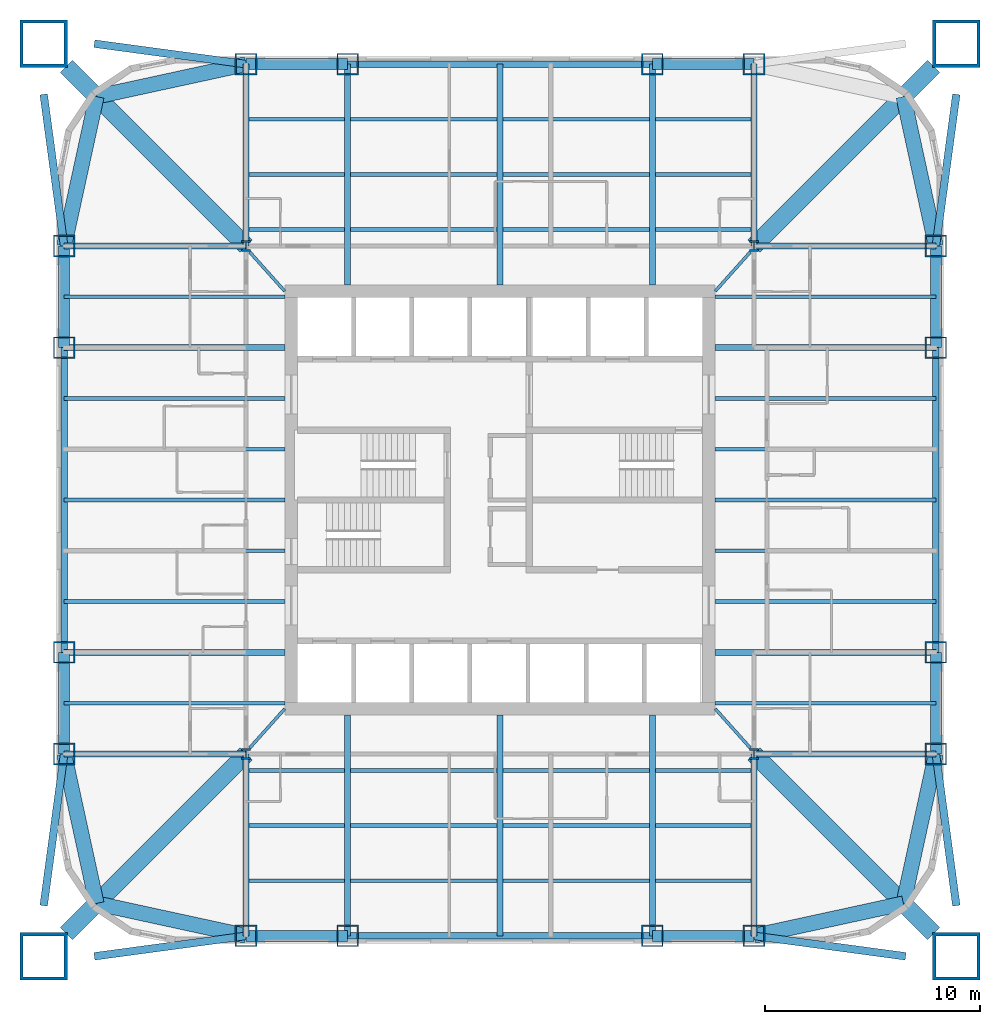
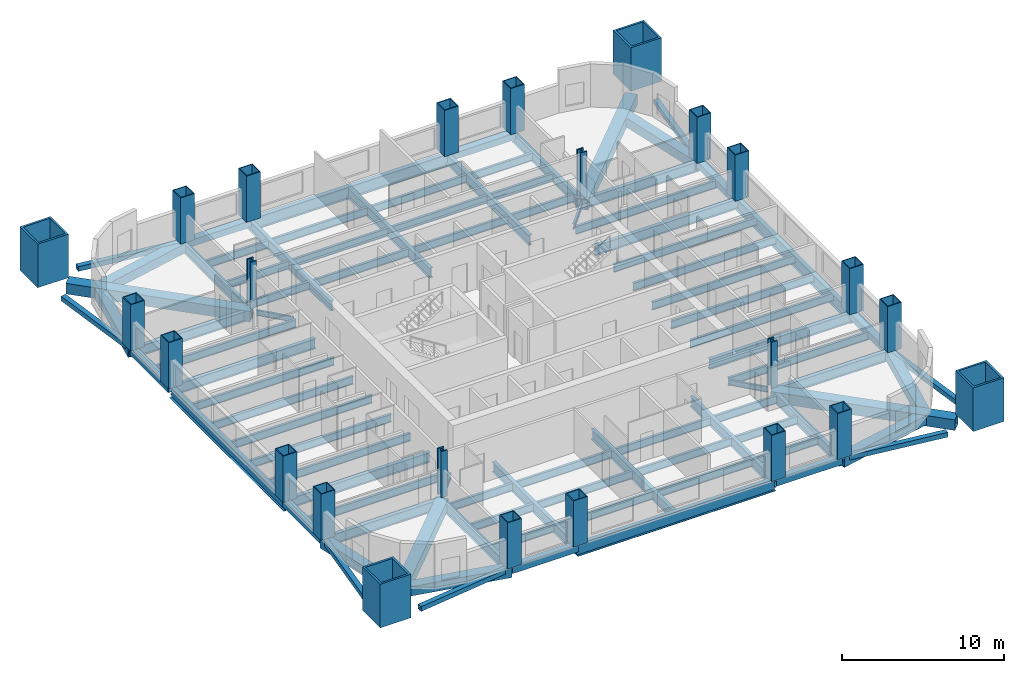
# One storey, part 1 of 8: 90 beams, 24 columns.
"""IFC4 building model written with IfcOpenShell, lengths in metres."""

from ifc_helpers import new_model, si_unit, direction, frame, origin, origin_2d, place, context, subcontext, project, spatial, hollow_rectangle, i_section, extrude, clip, halfspace, material, material_profile, profile_set, type_object, element, save


model = new_model("IFC4")

# Units and contexts
model_context = context("Model", 3, precision=1e-05, world=origin(), true_north=direction((0.0, 1.0)))
body_context = subcontext(model_context, "Body", "Model", "MODEL_VIEW")
ifc_project = project(units=[si_unit("LENGTHUNIT", "METRE"), si_unit("AREAUNIT", "SQUARE_METRE"), si_unit("VOLUMEUNIT", "CUBIC_METRE"), si_unit("PLANEANGLEUNIT", "RADIAN"), si_unit("MASSUNIT", "GRAM", prefix="KILO")], contexts=[model_context])

# Site, building, storey
site_placement = place(None, origin())
site = spatial("IfcSite", under=ifc_project, at=site_placement, CompositionType="ELEMENT")
building_placement = place(site_placement, origin())
building = spatial("IfcBuilding", under=site, at=building_placement, Name="Turquesa Mirador Hotel Tower", CompositionType="ELEMENT")
storey_placement = place(building_placement, frame((0.0, 0.0, 152.89990234375)))
storey = spatial("IfcBuildingStorey", under=building, at=storey_placement, Name="L41", CompositionType="ELEMENT", Elevation=152.89990234375)

# Columns
ifc_material_1 = material(Name="Steel ASTM A572 Grade 50", Category="steel")
ifc_material_profile_1 = material_profile(ifc_material_1, hollow_rectangle(XDim=1.0, YDim=1.0, WallThickness=0.06005859375, at=origin_2d()), Name="BOX1000X1000X60")
ifc_profile_set_1 = profile_set([ifc_material_profile_1], Name="Steel ASTM A572 Grade 50")
column_type_1 = type_object("IfcColumnType", Name="COLUMN BOX1000X1000X60", PredefinedType="COLUMN", material=ifc_profile_set_1)
for number, where, z_axis, x_axis, name in (
    (1, (34.75, 33.199951171875, 0.0), (0.0, 0.0, 1.0), (1.0, 0.0, 0.0), "COL-L41-P--20.25--11.80"),
    (2, (34.75, 37.919921875, 0.0), (0.0, 0.0, 1.0), (1.0, 0.0, 0.0), "COL-L41-P--20.25--7.08"),
    (3, (34.75, 52.080078125, 0.0), (0.0, 0.0, 1.0), (1.0, 0.0, 0.0), "COL-L41-P--20.25-+7.08"),
    (4, (34.75, 56.800048828125, 0.0), (0.0, 0.0, 1.0), (1.0, 0.0, 0.0), "COL-L41-P--20.25-+11.80"),
    (5, (43.199951171875, 24.75, 0.0), (0.0, 0.0, 1.0), (1.0, 0.0, 0.0), "COL-L41-P--11.80--20.25"),
    (6, (43.199951171875, 65.25, 0.0), (0.0, 0.0, 1.0), (1.0, 0.0, 0.0), "COL-L41-P--11.80-+20.25"),
    (7, (47.919921875, 24.75, 0.0), (0.0, 0.0, 1.0), (1.0, 0.0, 0.0), "COL-L41-P--7.08--20.25"),
    (8, (47.919921875, 65.25, 0.0), (0.0, 0.0, 1.0), (1.0, 0.0, 0.0), "COL-L41-P--7.08-+20.25"),
    (9, (62.080078125, 24.75, 0.0), (0.0, 0.0, 1.0), (1.0, 0.0, 0.0), "COL-L41-P-+7.08--20.25"),
    (10, (62.080078125, 65.25, 0.0), (0.0, 0.0, 1.0), (1.0, 0.0, 0.0), "COL-L41-P-+7.08-+20.25"),
    (11, (66.800048828125, 24.75, 0.0), (0.0, 0.0, 1.0), (1.0, 0.0, 0.0), "COL-L41-P-+11.80--20.25"),
    (12, (66.800048828125, 65.25, 0.0), (0.0, 0.0, 1.0), (1.0, 0.0, 0.0), "COL-L41-P-+11.80-+20.25"),
    (13, (75.25, 33.199951171875, 0.0), (0.0, 0.0, 1.0), (1.0, 0.0, 0.0), "COL-L41-P-+20.25--11.80"),
    (14, (75.25, 37.919921875, 0.0), (0.0, 0.0, 1.0), (1.0, 0.0, 0.0), "COL-L41-P-+20.25--7.08"),
    (15, (75.25, 52.080078125, 0.0), (0.0, 0.0, 1.0), (1.0, 0.0, 0.0), "COL-L41-P-+20.25-+7.08"),
    (16, (75.25, 56.800048828125, 0.0), (0.0, 0.0, 1.0), (1.0, 0.0, 0.0), "COL-L41-P-+20.25-+11.80"),
):
    element("IfcColumn", number, at=place(storey_placement, frame(where, z_axis=z_axis, x_axis=x_axis)), inside=storey, type_object=column_type_1, Name=name, PredefinedType="COLUMN", context=body_context, shape_type="SweptSolid", body=[
        extrude(hollow_rectangle(XDim=1.0, YDim=1.0, WallThickness=0.06005859375, at=origin_2d()), origin(), (0.0, 0.0, 1.0), 3.5),
    ])
ifc_material_2 = material(Name="Steel ASTM A992 Grade 50", Category="steel")
ifc_material_profile_2 = material_profile(ifc_material_2, i_section(OverallWidth=0.431884765625, OverallDepth=0.497802734375, WebThickness=0.0556640625, FlangeThickness=0.0888671875, at=origin_2d()), Name="W14X500")
ifc_profile_set_2 = profile_set([ifc_material_profile_2], Name="Steel ASTM A992 Grade 50")
column_type_2 = type_object("IfcColumnType", Name="COLUMN W14X500", PredefinedType="COLUMN", material=ifc_profile_set_2)
for number, where, z_axis, x_axis, name in (
    (17, (43.199951171875, 33.199951171875, 0.0), (0.0, 0.0, 1.0), (1.0, 0.0, 0.0), "COL-L41-K--11.80--11.80"),
    (18, (43.199951171875, 56.800048828125, 0.0), (0.0, 0.0, 1.0), (1.0, 0.0, 0.0), "COL-L41-K--11.80-+11.80"),
    (19, (66.800048828125, 33.199951171875, 0.0), (0.0, 0.0, 1.0), (1.0, 0.0, 0.0), "COL-L41-K-+11.80--11.80"),
    (20, (66.800048828125, 56.800048828125, 0.0), (0.0, 0.0, 1.0), (1.0, 0.0, 0.0), "COL-L41-K-+11.80-+11.80"),
):
    element("IfcColumn", number, at=place(storey_placement, frame(where, z_axis=z_axis, x_axis=x_axis)), inside=storey, type_object=column_type_2, Name=name, PredefinedType="COLUMN", context=body_context, shape_type="SweptSolid", body=[
        extrude(i_section(OverallWidth=0.431884765625, OverallDepth=0.497802734375, WebThickness=0.0556640625, FlangeThickness=0.0888671875, at=origin_2d()), origin(), (0.0, 0.0, 1.0), 3.5),
    ])
ifc_material_3 = material(Name="Steel ASTM A514 Grade Q", Category="steel")
ifc_material_profile_3 = material_profile(ifc_material_3, hollow_rectangle(XDim=2.199951171875, YDim=2.199951171875, WallThickness=0.14990234375, at=origin_2d()), Name="BOX2200X2200X150")
ifc_profile_set_3 = profile_set([ifc_material_profile_3], Name="Steel ASTM A514 Grade Q")
column_type_3 = type_object("IfcColumnType", Name="MEGA COLUMN BOX2200X2200X150", PredefinedType="COLUMN", material=ifc_profile_set_3)
for number, where, z_axis, x_axis, name in (
    (21, (76.199951171875, 66.199951171875, 0.0), (0.0, 0.0, 1.0), (1.0, 0.0, 0.0), "Mega column M1"),
    (22, (33.800048828125, 66.199951171875, 0.0), (0.0, 0.0, 1.0), (1.0, 0.0, 0.0), "Mega column M2"),
    (23, (33.800048828125, 23.800048828125, 0.0), (0.0, 0.0, 1.0), (1.0, 0.0, 0.0), "Mega column M3"),
    (24, (76.199951171875, 23.800048828125, 0.0), (0.0, 0.0, 1.0), (1.0, 0.0, 0.0), "Mega column M4"),
):
    element("IfcColumn", number, at=place(storey_placement, frame(where, z_axis=z_axis, x_axis=x_axis)), inside=storey, type_object=column_type_3, Name=name, PredefinedType="COLUMN", context=body_context, shape_type="Clipping", body=[
        clip(extrude(hollow_rectangle(XDim=2.199951171875, YDim=2.199951171875, WallThickness=0.14990234375, at=origin_2d()), origin(), (0.0, 0.0, 1.0), 3.5), halfspace(frame((0.0, 0.0, 3.29833984375), z_axis=(0.0, 0.0, 1.0), x_axis=(1.0, 0.0, 0.0)), False)),
    ])

# Beams
ifc_material_4 = material(Name="Steel ASTM A572 Grade 50", Category="steel")
ifc_material_profile_4 = material_profile(ifc_material_4, hollow_rectangle(XDim=0.5, YDim=0.5, WallThickness=0.01611328125, at=origin_2d()), Name="BOX500X500X16")
ifc_profile_set_4 = profile_set([ifc_material_profile_4], Name="Steel ASTM A572 Grade 50")
beam_type_1 = type_object("IfcBeamType", Name="BEAM BOX500X500X16", PredefinedType="BEAM", material=ifc_profile_set_4)
for number, where, z_axis, x_axis, name in (
    (25, (43.199951171875, 65.25, -0.419921875), (1.0, 0.0, 0.0), (0.0, 1.0, 0.0), "EB-L41-N-L"),
    (26, (62.080078125, 65.25, -0.419921875), (1.0, 0.0, 0.0), (0.0, 1.0, 0.0), "EB-L41-N-R"),
    (27, (43.199951171875, 24.75, -0.419921875), (1.0, 0.0, 0.0), (0.0, 1.0, 0.0), "EB-L41-S-L"),
    (28, (62.080078125, 24.75, -0.419921875), (1.0, 0.0, 0.0), (0.0, 1.0, 0.0), "EB-L41-S-R"),
    (29, (75.25, 33.199951171875, -0.419921875), (0.0, 1.0, 0.0), (-1.0, 0.0, 0.0), "EB-L41-E-L"),
    (30, (75.25, 52.080078125, -0.419921875), (0.0, 1.0, 0.0), (-1.0, 0.0, 0.0), "EB-L41-E-R"),
    (31, (34.75, 33.199951171875, -0.419921875), (0.0, 1.0, 0.0), (-1.0, 0.0, 0.0), "EB-L41-W-L"),
    (32, (34.75, 52.080078125, -0.419921875), (0.0, 1.0, 0.0), (-1.0, 0.0, 0.0), "EB-L41-W-R"),
):
    element("IfcBeam", number, at=place(storey_placement, frame(where, z_axis=z_axis, x_axis=x_axis)), inside=storey, type_object=beam_type_1, Name=name, PredefinedType="BEAM", context=body_context, shape_type="SweptSolid", body=[
        extrude(hollow_rectangle(XDim=0.5, YDim=0.5, WallThickness=0.01611328125, at=origin_2d()), origin(), (0.0, 0.0, 1.0), 4.719970703125),
    ])
ifc_material_5 = material(Name="Steel ASTM A572 Grade 50", Category="steel")
ifc_material_profile_5 = material_profile(ifc_material_5, hollow_rectangle(XDim=0.699951171875, YDim=0.699951171875, WallThickness=0.044921875, at=origin_2d()), Name="BOX700X700X45")
ifc_profile_set_5 = profile_set([ifc_material_profile_5], Name="Steel ASTM A572 Grade 50")
beam_type_2 = type_object("IfcBeamType", Name="BEAM BOX700X700X45", PredefinedType="BEAM", material=ifc_profile_set_5)
for number, where, z_axis, x_axis, name in (
    (33, (75.25, 56.800048828125, -0.52001953125), (-0.212328336885, 0.977198381781, 0.0), (-0.977198381781, -0.212328336885, 0.0), "KE-L41-1-0"),
    (34, (34.75, 56.800048828125, -0.52001953125), (0.212328336885, 0.977198381781, 0.0), (-0.977198381781, 0.212328336885, 0.0), "KE-L41-2-0"),
    (35, (36.25830078125, 63.74169921875, -0.52001953125), (0.977198381781, 0.212328336885, 0.0), (-0.212328336885, 0.977198381781, 0.0), "KE-L41-2-1"),
    (36, (34.75, 33.199951171875, -0.52001953125), (0.212328336885, -0.977198381781, 0.0), (0.977198381781, 0.212328336885, 0.0), "KE-L41-3-0"),
    (37, (36.25830078125, 26.25830078125, -0.52001953125), (0.977198381781, -0.212328336885, 0.0), (0.212328336885, 0.977198381781, 0.0), "KE-L41-3-1"),
    (38, (75.25, 33.199951171875, -0.52001953125), (-0.212328336885, -0.977198381781, 0.0), (0.977198381781, -0.212328336885, 0.0), "KE-L41-4-0"),
    (39, (73.74169921875, 26.25830078125, -0.52001953125), (-0.977198381781, -0.212328336885, 0.0), (0.212328336885, -0.977198381781, 0.0), "KE-L41-4-1"),
):
    element("IfcBeam", number, at=place(storey_placement, frame(where, z_axis=z_axis, x_axis=x_axis)), inside=storey, type_object=beam_type_2, Name=name, PredefinedType="BEAM", context=body_context, shape_type="SweptSolid", body=[
        extrude(hollow_rectangle(XDim=0.699951171875, YDim=0.699951171875, WallThickness=0.044921875, at=origin_2d()), origin(), (0.0, 0.0, 1.0), 7.103515625),
    ])
ifc_material_6 = material(Name="Steel ASTM A572 Grade 50", Category="steel")
ifc_material_profile_6 = material_profile(ifc_material_6, hollow_rectangle(XDim=0.800048828125, YDim=0.800048828125, WallThickness=0.050048828125, at=origin_2d()), Name="BOX800X800X50")
ifc_profile_set_6 = profile_set([ifc_material_profile_6], Name="Steel ASTM A572 Grade 50")
beam_type_3 = type_object("IfcBeamType", Name="BEAM BOX800X800X50", PredefinedType="BEAM", material=ifc_profile_set_6)
for number, where, z_axis, x_axis, name in (
    (40, (66.800048828125, 56.800048828125, -0.56982421875), (0.707106781187, 0.707106781187, 0.0), (-0.707106781187, 0.707106781187, 0.0), "KD-L41-1"),
    (41, (43.199951171875, 56.800048828125, -0.56982421875), (-0.707106781187, 0.707106781187, 0.0), (-0.707106781187, -0.707106781187, 0.0), "KD-L41-2"),
    (42, (43.199951171875, 33.199951171875, -0.56982421875), (-0.707106781187, -0.707106781187, 0.0), (0.707106781187, -0.707106781187, 0.0), "KD-L41-3"),
    (43, (66.800048828125, 33.199951171875, -0.56982421875), (0.707106781187, -0.707106781187, 0.0), (0.707106781187, 0.707106781187, 0.0), "KD-L41-4"),
):
    element("IfcBeam", number, at=place(storey_placement, frame(where, z_axis=z_axis, x_axis=x_axis)), inside=storey, type_object=beam_type_3, Name=name, PredefinedType="BEAM", context=body_context, shape_type="SweptSolid", body=[
        extrude(hollow_rectangle(XDim=0.800048828125, YDim=0.800048828125, WallThickness=0.050048828125, at=origin_2d()), origin(), (0.0, 0.0, 1.0), 11.80859375),
    ])
ifc_material_7 = material(Name="Steel ASTM A992 Grade 50", Category="steel")
ifc_material_profile_7 = material_profile(ifc_material_7, i_section(OverallWidth=0.140380859375, OverallDepth=0.40380859375, WebThickness=0.007080078125, FlangeThickness=0.01123046875, at=origin_2d()), Name="W16X31")
ifc_profile_set_7 = profile_set([ifc_material_profile_7], Name="Steel ASTM A992 Grade 50")
beam_type_4 = type_object("IfcBeamType", Name="BEAM W16X31", PredefinedType="BEAM", material=ifc_profile_set_7)
for number, where, z_axis, x_axis, name in (
    (44, (66.626953125, 56.518310546875, -0.371826171875), (-0.66679485947, -0.745241313525, 0.0), (0.745241313525, -0.66679485947, 0.0), "KT-L41-1"),
    (45, (43.373046875, 56.518310546875, -0.371826171875), (0.66679485947, -0.745241313525, 0.0), (0.745241313525, 0.66679485947, 0.0), "KT-L41-2"),
    (46, (43.373046875, 33.481689453125, -0.371826171875), (0.66679485947, 0.745241313525, 0.0), (-0.745241313525, 0.66679485947, 0.0), "KT-L41-3"),
    (47, (66.626953125, 33.481689453125, -0.371826171875), (-0.66679485947, 0.745241313525, 0.0), (-0.745241313525, -0.66679485947, 0.0), "KT-L41-4"),
):
    element("IfcBeam", number, at=place(storey_placement, frame(where, z_axis=z_axis, x_axis=x_axis)), inside=storey, type_object=beam_type_4, Name=name, PredefinedType="BEAM", context=body_context, shape_type="SweptSolid", body=[
        extrude(i_section(OverallWidth=0.140380859375, OverallDepth=0.40380859375, WebThickness=0.007080078125, FlangeThickness=0.01123046875, at=origin_2d()), origin(), (0.0, 0.0, 1.0), 2.43994140625),
    ])
ifc_material_8 = material(Name="Steel ASTM A992 Grade 50", Category="steel")
ifc_material_profile_8 = material_profile(ifc_material_8, i_section(OverallWidth=0.177978515625, OverallDepth=0.599365234375, WebThickness=0.010009765625, FlangeThickness=0.012939453125, at=origin_2d()), Name="W24X55")
ifc_profile_set_8 = profile_set([ifc_material_profile_8], Name="Steel ASTM A992 Grade 50")
beam_type_5 = type_object("IfcBeamType", Name="BEAM W24X55", PredefinedType="BEAM", material=ifc_profile_set_8)
beam_1_placement = place(storey_placement, frame((43.333251953125, 57.56201171875, -0.4697265625), z_axis=(1.0, 0.0, 0.0), x_axis=(0.0, 1.0, 0.0)))
element("IfcBeam", 48, at=beam_1_placement, inside=storey, type_object=beam_type_5, Name="IB-L41-N-1-0", PredefinedType="BEAM", context=body_context, shape_type="SweptSolid", body=[
    extrude(i_section(OverallWidth=0.177978515625, OverallDepth=0.599365234375, WebThickness=0.010009765625, FlangeThickness=0.012939453125, at=origin_2d()), origin(), (0.0, 0.0, 1.0), 4.453369140625),
])
for number, where, z_axis, x_axis, name in (
    (49, (48.053466796875, 57.56201171875, -0.4697265625), (1.0, 0.0, 0.0), (0.0, 1.0, 0.0), "IB-L41-N-1-1"),
    (50, (55.13330078125, 57.56201171875, -0.4697265625), (1.0, 0.0, 0.0), (0.0, 1.0, 0.0), "IB-L41-N-1-2"),
):
    element("IfcBeam", number, at=place(storey_placement, frame(where, z_axis=z_axis, x_axis=x_axis)), inside=storey, type_object=beam_type_5, Name=name, PredefinedType="BEAM", context=body_context, shape_type="SweptSolid", body=[
        extrude(i_section(OverallWidth=0.177978515625, OverallDepth=0.599365234375, WebThickness=0.010009765625, FlangeThickness=0.012939453125, at=origin_2d()), origin(), (0.0, 0.0, 1.0), 6.813232421875),
    ])
for number, where, z_axis, x_axis, name in (
    (51, (62.21337890625, 57.56201171875, -0.4697265625), (1.0, 0.0, 0.0), (0.0, 1.0, 0.0), "IB-L41-N-1-3"),
    (52, (43.333251953125, 60.125, -0.4697265625), (1.0, 0.0, 0.0), (0.0, 1.0, 0.0), "IB-L41-N-2-0"),
):
    element("IfcBeam", number, at=place(storey_placement, frame(where, z_axis=z_axis, x_axis=x_axis)), inside=storey, type_object=beam_type_5, Name=name, PredefinedType="BEAM", context=body_context, shape_type="SweptSolid", body=[
        extrude(i_section(OverallWidth=0.177978515625, OverallDepth=0.599365234375, WebThickness=0.010009765625, FlangeThickness=0.012939453125, at=origin_2d()), origin(), (0.0, 0.0, 1.0), 4.453369140625),
    ])
for number, where, z_axis, x_axis, name in (
    (53, (48.053466796875, 60.125, -0.4697265625), (1.0, 0.0, 0.0), (0.0, 1.0, 0.0), "IB-L41-N-2-1"),
    (54, (55.13330078125, 60.125, -0.4697265625), (1.0, 0.0, 0.0), (0.0, 1.0, 0.0), "IB-L41-N-2-2"),
):
    element("IfcBeam", number, at=place(storey_placement, frame(where, z_axis=z_axis, x_axis=x_axis)), inside=storey, type_object=beam_type_5, Name=name, PredefinedType="BEAM", context=body_context, shape_type="SweptSolid", body=[
        extrude(i_section(OverallWidth=0.177978515625, OverallDepth=0.599365234375, WebThickness=0.010009765625, FlangeThickness=0.012939453125, at=origin_2d()), origin(), (0.0, 0.0, 1.0), 6.813232421875),
    ])
for number, where, z_axis, x_axis, name in (
    (55, (62.21337890625, 60.125, -0.4697265625), (1.0, 0.0, 0.0), (0.0, 1.0, 0.0), "IB-L41-N-2-3"),
    (56, (43.333251953125, 62.68798828125, -0.4697265625), (1.0, 0.0, 0.0), (0.0, 1.0, 0.0), "IB-L41-N-3-0"),
):
    element("IfcBeam", number, at=place(storey_placement, frame(where, z_axis=z_axis, x_axis=x_axis)), inside=storey, type_object=beam_type_5, Name=name, PredefinedType="BEAM", context=body_context, shape_type="SweptSolid", body=[
        extrude(i_section(OverallWidth=0.177978515625, OverallDepth=0.599365234375, WebThickness=0.010009765625, FlangeThickness=0.012939453125, at=origin_2d()), origin(), (0.0, 0.0, 1.0), 4.453369140625),
    ])
for number, where, z_axis, x_axis, name in (
    (57, (48.053466796875, 62.68798828125, -0.4697265625), (1.0, 0.0, 0.0), (0.0, 1.0, 0.0), "IB-L41-N-3-1"),
    (58, (55.13330078125, 62.68798828125, -0.4697265625), (1.0, 0.0, 0.0), (0.0, 1.0, 0.0), "IB-L41-N-3-2"),
):
    element("IfcBeam", number, at=place(storey_placement, frame(where, z_axis=z_axis, x_axis=x_axis)), inside=storey, type_object=beam_type_5, Name=name, PredefinedType="BEAM", context=body_context, shape_type="SweptSolid", body=[
        extrude(i_section(OverallWidth=0.177978515625, OverallDepth=0.599365234375, WebThickness=0.010009765625, FlangeThickness=0.012939453125, at=origin_2d()), origin(), (0.0, 0.0, 1.0), 6.813232421875),
    ])
for number, where, z_axis, x_axis, name in (
    (59, (62.21337890625, 62.68798828125, -0.4697265625), (1.0, 0.0, 0.0), (0.0, 1.0, 0.0), "IB-L41-N-3-3"),
    (60, (43.333251953125, 32.43798828125, -0.4697265625), (1.0, 0.0, 0.0), (0.0, 1.0, 0.0), "IB-L41-S-1-0"),
):
    element("IfcBeam", number, at=place(storey_placement, frame(where, z_axis=z_axis, x_axis=x_axis)), inside=storey, type_object=beam_type_5, Name=name, PredefinedType="BEAM", context=body_context, shape_type="SweptSolid", body=[
        extrude(i_section(OverallWidth=0.177978515625, OverallDepth=0.599365234375, WebThickness=0.010009765625, FlangeThickness=0.012939453125, at=origin_2d()), origin(), (0.0, 0.0, 1.0), 4.453369140625),
    ])
for number, where, z_axis, x_axis, name in (
    (61, (48.053466796875, 32.43798828125, -0.4697265625), (1.0, 0.0, 0.0), (0.0, 1.0, 0.0), "IB-L41-S-1-1"),
    (62, (55.13330078125, 32.43798828125, -0.4697265625), (1.0, 0.0, 0.0), (0.0, 1.0, 0.0), "IB-L41-S-1-2"),
):
    element("IfcBeam", number, at=place(storey_placement, frame(where, z_axis=z_axis, x_axis=x_axis)), inside=storey, type_object=beam_type_5, Name=name, PredefinedType="BEAM", context=body_context, shape_type="SweptSolid", body=[
        extrude(i_section(OverallWidth=0.177978515625, OverallDepth=0.599365234375, WebThickness=0.010009765625, FlangeThickness=0.012939453125, at=origin_2d()), origin(), (0.0, 0.0, 1.0), 6.813232421875),
    ])
for number, where, z_axis, x_axis, name in (
    (63, (62.21337890625, 32.43798828125, -0.4697265625), (1.0, 0.0, 0.0), (0.0, 1.0, 0.0), "IB-L41-S-1-3"),
    (64, (43.333251953125, 29.875, -0.4697265625), (1.0, 0.0, 0.0), (0.0, 1.0, 0.0), "IB-L41-S-2-0"),
):
    element("IfcBeam", number, at=place(storey_placement, frame(where, z_axis=z_axis, x_axis=x_axis)), inside=storey, type_object=beam_type_5, Name=name, PredefinedType="BEAM", context=body_context, shape_type="SweptSolid", body=[
        extrude(i_section(OverallWidth=0.177978515625, OverallDepth=0.599365234375, WebThickness=0.010009765625, FlangeThickness=0.012939453125, at=origin_2d()), origin(), (0.0, 0.0, 1.0), 4.453369140625),
    ])
for number, where, z_axis, x_axis, name in (
    (65, (48.053466796875, 29.875, -0.4697265625), (1.0, 0.0, 0.0), (0.0, 1.0, 0.0), "IB-L41-S-2-1"),
    (66, (55.13330078125, 29.875, -0.4697265625), (1.0, 0.0, 0.0), (0.0, 1.0, 0.0), "IB-L41-S-2-2"),
):
    element("IfcBeam", number, at=place(storey_placement, frame(where, z_axis=z_axis, x_axis=x_axis)), inside=storey, type_object=beam_type_5, Name=name, PredefinedType="BEAM", context=body_context, shape_type="SweptSolid", body=[
        extrude(i_section(OverallWidth=0.177978515625, OverallDepth=0.599365234375, WebThickness=0.010009765625, FlangeThickness=0.012939453125, at=origin_2d()), origin(), (0.0, 0.0, 1.0), 6.813232421875),
    ])
for number, where, z_axis, x_axis, name in (
    (67, (62.21337890625, 29.875, -0.4697265625), (1.0, 0.0, 0.0), (0.0, 1.0, 0.0), "IB-L41-S-2-3"),
    (68, (43.333251953125, 27.31201171875, -0.4697265625), (1.0, 0.0, 0.0), (0.0, 1.0, 0.0), "IB-L41-S-3-0"),
):
    element("IfcBeam", number, at=place(storey_placement, frame(where, z_axis=z_axis, x_axis=x_axis)), inside=storey, type_object=beam_type_5, Name=name, PredefinedType="BEAM", context=body_context, shape_type="SweptSolid", body=[
        extrude(i_section(OverallWidth=0.177978515625, OverallDepth=0.599365234375, WebThickness=0.010009765625, FlangeThickness=0.012939453125, at=origin_2d()), origin(), (0.0, 0.0, 1.0), 4.453369140625),
    ])
for number, where, z_axis, x_axis, name in (
    (69, (48.053466796875, 27.31201171875, -0.4697265625), (1.0, 0.0, 0.0), (0.0, 1.0, 0.0), "IB-L41-S-3-1"),
    (70, (55.13330078125, 27.31201171875, -0.4697265625), (1.0, 0.0, 0.0), (0.0, 1.0, 0.0), "IB-L41-S-3-2"),
):
    element("IfcBeam", number, at=place(storey_placement, frame(where, z_axis=z_axis, x_axis=x_axis)), inside=storey, type_object=beam_type_5, Name=name, PredefinedType="BEAM", context=body_context, shape_type="SweptSolid", body=[
        extrude(i_section(OverallWidth=0.177978515625, OverallDepth=0.599365234375, WebThickness=0.010009765625, FlangeThickness=0.012939453125, at=origin_2d()), origin(), (0.0, 0.0, 1.0), 6.813232421875),
    ])
beam_2_placement = place(storey_placement, frame((62.21337890625, 27.31201171875, -0.4697265625), z_axis=(1.0, 0.0, 0.0), x_axis=(0.0, 1.0, 0.0)))
element("IfcBeam", 71, at=beam_2_placement, inside=storey, type_object=beam_type_5, Name="IB-L41-S-3-3", PredefinedType="BEAM", context=body_context, shape_type="SweptSolid", body=[
    extrude(i_section(OverallWidth=0.177978515625, OverallDepth=0.599365234375, WebThickness=0.010009765625, FlangeThickness=0.012939453125, at=origin_2d()), origin(), (0.0, 0.0, 1.0), 4.453369140625),
])
for number, where, z_axis, x_axis, name in (
    (72, (75.25, 35.56005859375, -0.4697265625), (-1.0, 0.0, 0.0), (0.0, -1.0, 0.0), "BM-L41-E--9.44"),
    (73, (75.25, 40.280029296875, -0.4697265625), (-1.0, 0.0, 0.0), (0.0, -1.0, 0.0), "BM-L41-E--4.72"),
    (74, (75.25, 42.639892578125, -0.4697265625), (-1.0, 0.0, 0.0), (0.0, -1.0, 0.0), "BM-L41-E--2.36"),
    (75, (75.25, 45.0, -0.4697265625), (-1.0, 0.0, 0.0), (0.0, -1.0, 0.0), "BM-L41-E-+0.00"),
    (76, (75.25, 47.360107421875, -0.4697265625), (-1.0, 0.0, 0.0), (0.0, -1.0, 0.0), "BM-L41-E-+2.36"),
    (77, (75.25, 49.719970703125, -0.4697265625), (-1.0, 0.0, 0.0), (0.0, -1.0, 0.0), "BM-L41-E-+4.72"),
    (78, (75.25, 54.43994140625, -0.4697265625), (-1.0, 0.0, 0.0), (0.0, -1.0, 0.0), "BM-L41-E-+9.44"),
    (79, (34.75, 35.56005859375, -0.4697265625), (1.0, 0.0, 0.0), (0.0, 1.0, 0.0), "BM-L41-W--9.44"),
    (80, (34.75, 40.280029296875, -0.4697265625), (1.0, 0.0, 0.0), (0.0, 1.0, 0.0), "BM-L41-W--4.72"),
    (81, (34.75, 42.639892578125, -0.4697265625), (1.0, 0.0, 0.0), (0.0, 1.0, 0.0), "BM-L41-W--2.36"),
    (82, (34.75, 45.0, -0.4697265625), (1.0, 0.0, 0.0), (0.0, 1.0, 0.0), "BM-L41-W-+0.00"),
    (83, (34.75, 47.360107421875, -0.4697265625), (1.0, 0.0, 0.0), (0.0, 1.0, 0.0), "BM-L41-W-+2.36"),
    (84, (34.75, 49.719970703125, -0.4697265625), (1.0, 0.0, 0.0), (0.0, 1.0, 0.0), "BM-L41-W-+4.72"),
    (85, (34.75, 54.43994140625, -0.4697265625), (1.0, 0.0, 0.0), (0.0, 1.0, 0.0), "BM-L41-W-+9.44"),
):
    element("IfcBeam", number, at=place(storey_placement, frame(where, z_axis=z_axis, x_axis=x_axis)), inside=storey, type_object=beam_type_5, Name=name, PredefinedType="BEAM", context=body_context, shape_type="SweptSolid", body=[
        extrude(i_section(OverallWidth=0.177978515625, OverallDepth=0.599365234375, WebThickness=0.010009765625, FlangeThickness=0.012939453125, at=origin_2d()), origin(), (0.0, 0.0, 1.0), 10.25),
    ])
ifc_material_9 = material(Name="Steel ASTM A992 Grade 50", Category="steel")
ifc_material_profile_9 = material_profile(ifc_material_9, i_section(OverallWidth=0.2666015625, OverallDepth=0.7568359375, WebThickness=0.013916015625, FlangeThickness=0.019287109375, at=origin_2d()), Name="W30X108")
ifc_profile_set_9 = profile_set([ifc_material_profile_9], Name="Steel ASTM A992 Grade 50")
beam_type_6 = type_object("IfcBeamType", Name="BEAM W30X108", PredefinedType="BEAM", material=ifc_profile_set_9)
for number, where, z_axis, x_axis, name in (
    (86, (47.919921875, 65.25, -0.54833984375), (0.0, -1.0, 0.0), (1.0, 0.0, 0.0), "GD-L41-N--7.08"),
    (87, (62.080078125, 65.25, -0.54833984375), (0.0, -1.0, 0.0), (1.0, 0.0, 0.0), "GD-L41-N-+7.08"),
    (88, (55.0, 65.25, -0.54833984375), (0.0, -1.0, 0.0), (1.0, 0.0, 0.0), "GD-L41-N-+0.00"),
):
    element("IfcBeam", number, at=place(storey_placement, frame(where, z_axis=z_axis, x_axis=x_axis)), inside=storey, type_object=beam_type_6, Name=name, PredefinedType="BEAM", context=body_context, shape_type="SweptSolid", body=[
        extrude(i_section(OverallWidth=0.2666015625, OverallDepth=0.7568359375, WebThickness=0.013916015625, FlangeThickness=0.019287109375, at=origin_2d()), origin(), (0.0, 0.0, 1.0), 10.25),
    ])
for number, where, z_axis, x_axis, name in (
    (89, (43.199951171875, 65.25, -0.54833984375), (0.0, -1.0, 0.0), (1.0, 0.0, 0.0), "GK-L41-N--11.80"),
    (90, (66.800048828125, 65.25, -0.54833984375), (0.0, -1.0, 0.0), (1.0, 0.0, 0.0), "GK-L41-N-+11.80"),
):
    element("IfcBeam", number, at=place(storey_placement, frame(where, z_axis=z_axis, x_axis=x_axis)), inside=storey, type_object=beam_type_6, Name=name, PredefinedType="BEAM", context=body_context, shape_type="SweptSolid", body=[
        extrude(i_section(OverallWidth=0.2666015625, OverallDepth=0.7568359375, WebThickness=0.013916015625, FlangeThickness=0.019287109375, at=origin_2d()), origin(), (0.0, 0.0, 1.0), 8.449951171875),
    ])
for number, where, z_axis, x_axis, name in (
    (91, (47.919921875, 24.75, -0.54833984375), (0.0, 1.0, 0.0), (-1.0, 0.0, 0.0), "GD-L41-S--7.08"),
    (92, (62.080078125, 24.75, -0.54833984375), (0.0, 1.0, 0.0), (-1.0, 0.0, 0.0), "GD-L41-S-+7.08"),
    (93, (55.0, 24.75, -0.54833984375), (0.0, 1.0, 0.0), (-1.0, 0.0, 0.0), "GD-L41-S-+0.00"),
):
    element("IfcBeam", number, at=place(storey_placement, frame(where, z_axis=z_axis, x_axis=x_axis)), inside=storey, type_object=beam_type_6, Name=name, PredefinedType="BEAM", context=body_context, shape_type="SweptSolid", body=[
        extrude(i_section(OverallWidth=0.2666015625, OverallDepth=0.7568359375, WebThickness=0.013916015625, FlangeThickness=0.019287109375, at=origin_2d()), origin(), (0.0, 0.0, 1.0), 10.25),
    ])
for number, where, z_axis, x_axis, name in (
    (94, (43.199951171875, 24.75, -0.54833984375), (0.0, 1.0, 0.0), (-1.0, 0.0, 0.0), "GK-L41-S--11.80"),
    (95, (66.800048828125, 24.75, -0.54833984375), (0.0, 1.0, 0.0), (-1.0, 0.0, 0.0), "GK-L41-S-+11.80"),
):
    element("IfcBeam", number, at=place(storey_placement, frame(where, z_axis=z_axis, x_axis=x_axis)), inside=storey, type_object=beam_type_6, Name=name, PredefinedType="BEAM", context=body_context, shape_type="SweptSolid", body=[
        extrude(i_section(OverallWidth=0.2666015625, OverallDepth=0.7568359375, WebThickness=0.013916015625, FlangeThickness=0.019287109375, at=origin_2d()), origin(), (0.0, 0.0, 1.0), 8.449951171875),
    ])
for number, where, z_axis, x_axis, name in (
    (96, (75.25, 37.919921875, -0.54833984375), (-1.0, 0.0, 0.0), (0.0, -1.0, 0.0), "GD-L41-E--7.08"),
    (97, (75.25, 52.080078125, -0.54833984375), (-1.0, 0.0, 0.0), (0.0, -1.0, 0.0), "GD-L41-E-+7.08"),
):
    element("IfcBeam", number, at=place(storey_placement, frame(where, z_axis=z_axis, x_axis=x_axis)), inside=storey, type_object=beam_type_6, Name=name, PredefinedType="BEAM", context=body_context, shape_type="SweptSolid", body=[
        extrude(i_section(OverallWidth=0.2666015625, OverallDepth=0.7568359375, WebThickness=0.013916015625, FlangeThickness=0.019287109375, at=origin_2d()), origin(), (0.0, 0.0, 1.0), 10.25),
    ])
for number, where, z_axis, x_axis, name in (
    (98, (75.25, 33.199951171875, -0.54833984375), (-1.0, 0.0, 0.0), (0.0, -1.0, 0.0), "GK-L41-E--11.80"),
    (99, (75.25, 56.800048828125, -0.54833984375), (-1.0, 0.0, 0.0), (0.0, -1.0, 0.0), "GK-L41-E-+11.80"),
):
    element("IfcBeam", number, at=place(storey_placement, frame(where, z_axis=z_axis, x_axis=x_axis)), inside=storey, type_object=beam_type_6, Name=name, PredefinedType="BEAM", context=body_context, shape_type="SweptSolid", body=[
        extrude(i_section(OverallWidth=0.2666015625, OverallDepth=0.7568359375, WebThickness=0.013916015625, FlangeThickness=0.019287109375, at=origin_2d()), origin(), (0.0, 0.0, 1.0), 8.449951171875),
    ])
for number, where, z_axis, x_axis, name in (
    (100, (34.75, 37.919921875, -0.54833984375), (1.0, 0.0, 0.0), (0.0, 1.0, 0.0), "GD-L41-W--7.08"),
    (101, (34.75, 52.080078125, -0.54833984375), (1.0, 0.0, 0.0), (0.0, 1.0, 0.0), "GD-L41-W-+7.08"),
):
    element("IfcBeam", number, at=place(storey_placement, frame(where, z_axis=z_axis, x_axis=x_axis)), inside=storey, type_object=beam_type_6, Name=name, PredefinedType="BEAM", context=body_context, shape_type="SweptSolid", body=[
        extrude(i_section(OverallWidth=0.2666015625, OverallDepth=0.7568359375, WebThickness=0.013916015625, FlangeThickness=0.019287109375, at=origin_2d()), origin(), (0.0, 0.0, 1.0), 10.25),
    ])
for number, where, z_axis, x_axis, name in (
    (102, (34.75, 33.199951171875, -0.54833984375), (1.0, 0.0, 0.0), (0.0, 1.0, 0.0), "GK-L41-W--11.80"),
    (103, (34.75, 56.800048828125, -0.54833984375), (1.0, 0.0, 0.0), (0.0, 1.0, 0.0), "GK-L41-W-+11.80"),
):
    element("IfcBeam", number, at=place(storey_placement, frame(where, z_axis=z_axis, x_axis=x_axis)), inside=storey, type_object=beam_type_6, Name=name, PredefinedType="BEAM", context=body_context, shape_type="SweptSolid", body=[
        extrude(i_section(OverallWidth=0.2666015625, OverallDepth=0.7568359375, WebThickness=0.013916015625, FlangeThickness=0.019287109375, at=origin_2d()), origin(), (0.0, 0.0, 1.0), 8.449951171875),
    ])
ifc_material_10 = material(Name="Steel ASTM A992 Grade 50", Category="steel")
ifc_material_profile_10 = material_profile(ifc_material_10, i_section(OverallWidth=0.3046875, OverallDepth=0.911865234375, WebThickness=0.015869140625, FlangeThickness=0.02392578125, at=origin_2d()), Name="W36X150")
ifc_profile_set_10 = profile_set([ifc_material_profile_10], Name="Steel ASTM A992 Grade 50")
beam_type_7 = type_object("IfcBeamType", Name="BEAM W36X150", PredefinedType="BEAM", material=ifc_profile_set_10)
for number, where, z_axis, x_axis, name in (
    (104, (47.919921875, 65.25, -0.625732421875), (1.0, 0.0, 0.0), (0.0, 1.0, 0.0), "EB-L41-N-C"),
    (105, (47.919921875, 24.75, -0.625732421875), (1.0, 0.0, 0.0), (0.0, 1.0, 0.0), "EB-L41-S-C"),
    (106, (75.25, 37.919921875, -0.625732421875), (0.0, 1.0, 0.0), (-1.0, 0.0, 0.0), "EB-L41-E-C"),
    (107, (34.75, 37.919921875, -0.625732421875), (0.0, 1.0, 0.0), (-1.0, 0.0, 0.0), "EB-L41-W-C"),
):
    element("IfcBeam", number, at=place(storey_placement, frame(where, z_axis=z_axis, x_axis=x_axis)), inside=storey, type_object=beam_type_7, Name=name, PredefinedType="BEAM", context=body_context, shape_type="SweptSolid", body=[
        extrude(i_section(OverallWidth=0.3046875, OverallDepth=0.911865234375, WebThickness=0.015869140625, FlangeThickness=0.02392578125, at=origin_2d()), origin(), (0.0, 0.0, 1.0), 14.16015625),
    ])
ifc_material_11 = material(Name="Steel ASTM A500 Grade C", Category="steel")
ifc_material_profile_11 = material_profile(ifc_material_11, hollow_rectangle(XDim=0.355712890625, YDim=0.355712890625, WallThickness=0.0146484375, at=origin_2d()), Name="HSS14X14X5/8")
ifc_profile_set_11 = profile_set([ifc_material_profile_11], Name="Steel ASTM A500 Grade C")
beam_type_8 = type_object("IfcBeamType", Name="BRACE STRUT HSS14X14X5/8", PredefinedType="BEAM", material=ifc_profile_set_11)
for number, where, z_axis, x_axis, name in (
    (108, (36.155517578125, 66.199951171875, -0.34765625), (0.991029719552, -0.133641666278, 0.0), (0.133641666278, 0.991029719552, 0.0), "Brace strut"),
    (109, (73.844482421875, 23.800048828125, -0.34765625), (-0.991029719552, 0.133641666278, 0.0), (-0.133641666278, -0.991029719552, 0.0), "Brace strut"),
    (110, (36.155517578125, 23.800048828125, -0.34765625), (0.991029719552, 0.133641666278, 0.0), (-0.133641666278, 0.991029719552, 0.0), "Brace strut"),
    (111, (76.199951171875, 63.844482421875, -0.34765625), (-0.133641666278, -0.991029719552, 0.0), (0.991029719552, -0.133641666278, 0.0), "Brace strut"),
    (112, (76.199951171875, 26.155517578125, -0.34765625), (-0.133641666278, 0.991029719552, 0.0), (-0.991029719552, -0.133641666278, 0.0), "Brace strut"),
    (113, (33.800048828125, 63.844482421875, -0.34765625), (0.133641666278, -0.991029719552, 0.0), (0.991029719552, 0.133641666278, 0.0), "Brace strut"),
    (114, (33.800048828125, 26.155517578125, -0.34765625), (0.133641666278, 0.991029719552, 0.0), (-0.991029719552, 0.133641666278, 0.0), "Brace strut"),
):
    element("IfcBeam", number, at=place(storey_placement, frame(where, z_axis=z_axis, x_axis=x_axis)), inside=storey, type_object=beam_type_8, Name=name, PredefinedType="BEAM", context=body_context, shape_type="SweptSolid", body=[
        extrude(hollow_rectangle(XDim=0.355712890625, YDim=0.355712890625, WallThickness=0.0146484375, at=origin_2d()), origin(), (0.0, 0.0, 1.0), 7.108154296875),
    ])

save(model, "model.ifc")
